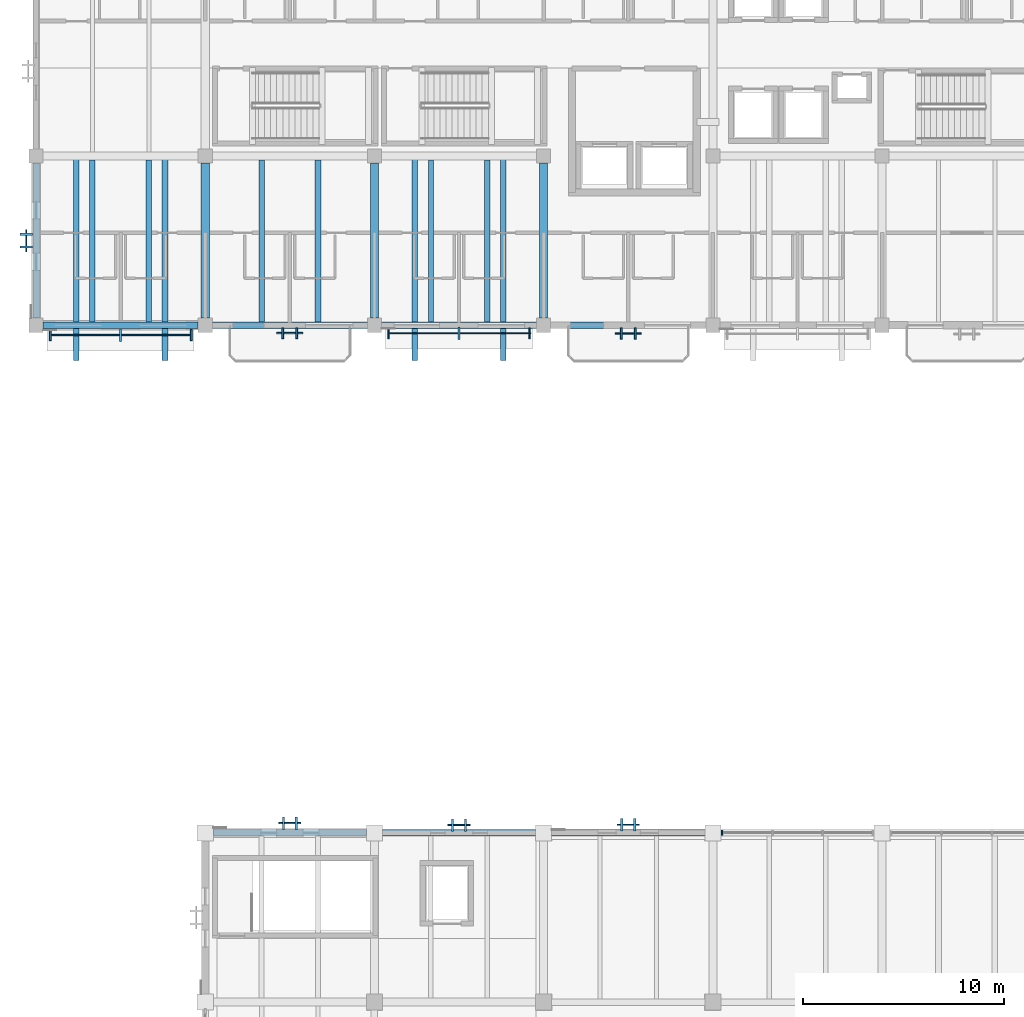
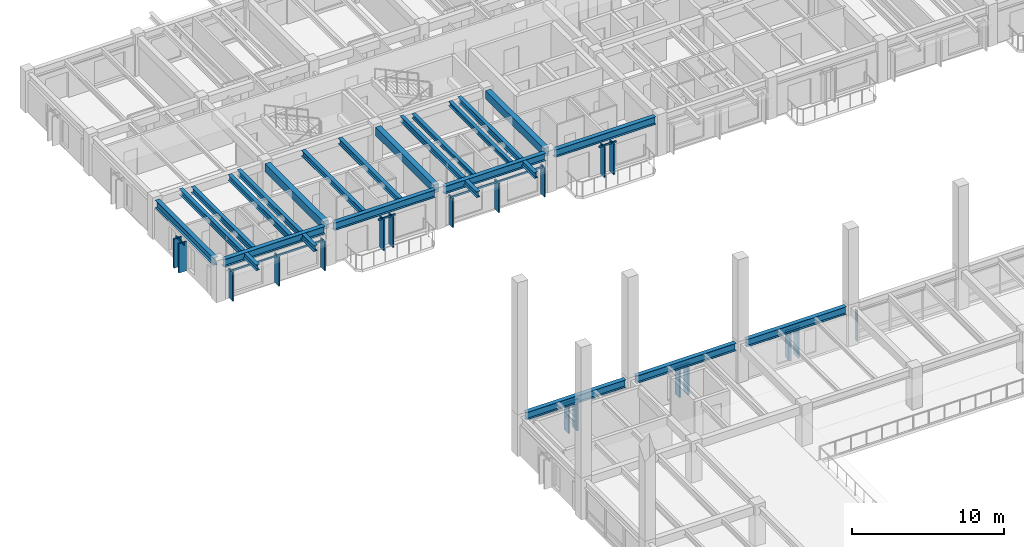
# One storey, part 10 of 64: 27 members, 21 beams, 9 elements without a shape of their own.
"""IFC4 building model written with IfcOpenShell, lengths in metres."""

from ifc_helpers import new_model, si_unit, direction, frame, origin, origin_2d, place, context, subcontext, project, spatial, rectangle, i_section, extrude, material, material_profile, profile_set, type_object, element, aggregate, save


model = new_model("IFC4")

# Units and contexts
model_context = context("Model", 3, precision=1e-05, world=origin(), true_north=direction((0.0, 1.0)))
body_context = subcontext(model_context, "Body", "Model", "MODEL_VIEW")
ifc_project = project(units=[si_unit("LENGTHUNIT", "METRE"), si_unit("AREAUNIT", "SQUARE_METRE"), si_unit("VOLUMEUNIT", "CUBIC_METRE"), si_unit("PLANEANGLEUNIT", "RADIAN"), si_unit("MASSUNIT", "GRAM", prefix="KILO")], contexts=[model_context])

# Site, building, storey
site_placement = place(None, origin())
site = spatial("IfcSite", under=ifc_project, at=site_placement, CompositionType="ELEMENT")
building_placement = place(site_placement, origin())
building = spatial("IfcBuilding", under=site, at=building_placement, Name="Cumbredor Promenade Congress Hotel", CompositionType="ELEMENT")
storey_placement = place(building_placement, frame((0.0, 0.0, 18.47998046875)))
storey = spatial("IfcBuildingStorey", under=building, at=storey_placement, Name="L05", CompositionType="ELEMENT", Elevation=18.47998046875)

# Beams
ifc_material_1 = material(Name="Concrete C40/50", Category="concrete")
ifc_material_profile_1 = material_profile(ifc_material_1, rectangle(XDim=0.39990234375, YDim=0.64990234375, at=origin_2d()), Name="RC BEAM 400x650")
ifc_profile_set_1 = profile_set([ifc_material_profile_1], Name="Concrete C40/50")
beam_type_1 = type_object("IfcBeamType", Name="BM-RC-400x650", PredefinedType="BEAM", material=ifc_profile_set_1)
for number, where, z_axis, x_axis, name in (
    (1, (8.39990234375, 92.75, 2.794921875), (0.0, 1.0, 0.0), (-1.0, 0.0, 0.0), "L06 Y-Grid Beam 024"),
    (2, (16.800048828125, 92.75, 2.794921875), (0.0, 1.0, 0.0), (-1.0, 0.0, 0.0), "L06 Y-Grid Beam 042"),
    (3, (25.199951171875, 92.75, 2.794921875), (0.0, 1.0, 0.0), (-1.0, 0.0, 0.0), "L06 Y-Grid Beam 053"),
):
    element("IfcBeam", number, at=place(storey_placement, frame(where, z_axis=z_axis, x_axis=x_axis)), inside=storey, type_object=beam_type_1, Name=name, PredefinedType="BEAM", context=body_context, shape_type="SweptSolid", body=[
        extrude(rectangle(XDim=0.39990234375, YDim=0.64990234375, at=origin_2d()), origin(), (0.0, 0.0, 1.0), 7.699951171875),
    ])
ifc_material_2 = material(Name="Steel ASTM A992 Grade 50", Category="steel")
ifc_material_profile_2 = material_profile(ifc_material_2, i_section(OverallWidth=0.323974609375, OverallDepth=0.611083984375, WebThickness=0.0126953125, FlangeThickness=0.01904296875, at=origin_2d()), Name="W24X104")
ifc_profile_set_2 = profile_set([ifc_material_profile_2], Name="Steel ASTM A992 Grade 50")
beam_type_2 = type_object("IfcBeamType", Name="BM-W24X104", PredefinedType="BEAM", material=ifc_profile_set_2)
beam_1_placement = place(storey_placement, frame((0.35009765625, 92.39990234375, 2.814453125), z_axis=(1.0, 0.0, 0.0), x_axis=(0.0, 1.0, 0.0)))
element("IfcBeam", 4, at=beam_1_placement, inside=storey, type_object=beam_type_2, Name="L06 X-Grid Beam 001", PredefinedType="BEAM", context=body_context, shape_type="SweptSolid", body=[
    extrude(i_section(OverallWidth=0.323974609375, OverallDepth=0.611083984375, WebThickness=0.0126953125, FlangeThickness=0.01904296875, at=origin_2d()), origin(), (0.0, 0.0, 1.0), 7.699951171875),
])
beam_2_placement = place(storey_placement, frame((8.800048828125, 67.199951171875, 2.814453125), z_axis=(1.0, 0.0, 0.0), x_axis=(0.0, 1.0, 0.0)))
element("IfcBeam", 5, at=beam_2_placement, inside=storey, type_object=beam_type_2, Name="L06 X-Grid Beam 022", PredefinedType="BEAM", context=body_context, shape_type="SweptSolid", body=[
    extrude(i_section(OverallWidth=0.323974609375, OverallDepth=0.611083984375, WebThickness=0.0126953125, FlangeThickness=0.01904296875, at=origin_2d()), origin(), (0.0, 0.0, 1.0), 7.599853515625),
])
beam_3_placement = place(storey_placement, frame((8.75, 92.39990234375, 2.814453125), z_axis=(1.0, 0.0, 0.0), x_axis=(0.0, 1.0, 0.0)))
element("IfcBeam", 6, at=beam_3_placement, inside=storey, type_object=beam_type_2, Name="L06 X-Grid Beam 023", PredefinedType="BEAM", context=body_context, shape_type="SweptSolid", body=[
    extrude(i_section(OverallWidth=0.323974609375, OverallDepth=0.611083984375, WebThickness=0.0126953125, FlangeThickness=0.01904296875, at=origin_2d()), origin(), (0.0, 0.0, 1.0), 7.699951171875),
])
beam_4_placement = place(storey_placement, frame((17.199951171875, 67.199951171875, 2.814453125), z_axis=(1.0, 0.0, 0.0), x_axis=(0.0, 1.0, 0.0)))
element("IfcBeam", 7, at=beam_4_placement, inside=storey, type_object=beam_type_2, Name="L06 X-Grid Beam 040", PredefinedType="BEAM", context=body_context, shape_type="SweptSolid", body=[
    extrude(i_section(OverallWidth=0.323974609375, OverallDepth=0.611083984375, WebThickness=0.0126953125, FlangeThickness=0.01904296875, at=origin_2d()), origin(), (0.0, 0.0, 1.0), 7.60009765625),
])
beam_5_placement = place(storey_placement, frame((17.14990234375, 92.39990234375, 2.814453125), z_axis=(1.0, 0.0, 0.0), x_axis=(0.0, 1.0, 0.0)))
element("IfcBeam", 8, at=beam_5_placement, inside=storey, type_object=beam_type_2, Name="L06 X-Grid Beam 041", PredefinedType="BEAM", context=body_context, shape_type="SweptSolid", body=[
    extrude(i_section(OverallWidth=0.323974609375, OverallDepth=0.611083984375, WebThickness=0.0126953125, FlangeThickness=0.01904296875, at=origin_2d()), origin(), (0.0, 0.0, 1.0), 7.7001953125),
])
beam_6_placement = place(storey_placement, frame((25.60009765625, 67.199951171875, 2.814453125), z_axis=(1.0, 0.0, 0.0), x_axis=(0.0, 1.0, 0.0)))
element("IfcBeam", 9, at=beam_6_placement, inside=storey, type_object=beam_type_2, Name="L06 X-Grid Beam 051", PredefinedType="BEAM", context=body_context, shape_type="SweptSolid", body=[
    extrude(i_section(OverallWidth=0.323974609375, OverallDepth=0.611083984375, WebThickness=0.0126953125, FlangeThickness=0.01904296875, at=origin_2d()), origin(), (0.0, 0.0, 1.0), 7.599853515625),
])
beam_7_placement = place(storey_placement, frame((25.550048828125, 92.39990234375, 2.814453125), z_axis=(1.0, 0.0, 0.0), x_axis=(0.0, 1.0, 0.0)))
element("IfcBeam", 10, at=beam_7_placement, inside=storey, type_object=beam_type_2, Name="L06 X-Grid Beam 052", PredefinedType="BEAM", context=body_context, shape_type="SweptSolid", body=[
    extrude(i_section(OverallWidth=0.323974609375, OverallDepth=0.611083984375, WebThickness=0.0126953125, FlangeThickness=0.01904296875, at=origin_2d()), origin(), (0.0, 0.0, 1.0), 7.699951171875),
])

# Curtain wall, member
ifc_material_3 = material(Name="Thermally broken anodized aluminium and low-E glass", Category="aluminium")
curtain_wall_type_1 = type_object("IfcCurtainWallType", Name="Unitised Bronze Curtain Wall CW-01", PredefinedType="NOTDEFINED", material=ifc_material_3)
curtain_wall_1_placement = place(storey_placement, origin())
curtain_wall_1 = element("IfcCurtainWall", 11, at=curtain_wall_1_placement, inside=storey, type_object=curtain_wall_type_1, Name="L05 Plenary Congress Hall North Curtain Wall 4", PredefinedType="NOTDEFINED")
ifc_material_4 = material(Name="Thermally broken anodized aluminium", Category="aluminium")
ifc_material_profile_3 = material_profile(ifc_material_4, rectangle(XDim=0.080078125, YDim=0.239990234375, at=origin_2d()), Name="ALU MULLION 80x240")
ifc_profile_set_3 = profile_set([ifc_material_profile_3], Name="Thermally broken anodized aluminium")
member_type_1 = type_object("IfcMemberType", Name="Curtain Wall Mullion ML-03", PredefinedType="MULLION", material=ifc_profile_set_3)
member_1_placement = place(storey_placement, frame((34.054931640625, 67.199951171875, -0.008056640625), z_axis=(0.0, 0.0, 1.0), x_axis=(1.0, 0.0, 0.0)))
member_1 = element("IfcMember", 12, at=member_1_placement, type_object=member_type_1, Name="L05 Plenary Congress Hall North Curtain Wall 4 Mullion 1", PredefinedType="MULLION", context=body_context, shape_type="SweptSolid", body=[
    extrude(rectangle(XDim=0.080078125, YDim=0.239990234375, at=origin_2d()), origin(), (0.0, 0.0, 1.0), 2.510009765625),
])
aggregate(curtain_wall_1, [member_1])

curtain_wall_type_2 = type_object("IfcCurtainWallType", Name="Solar Brise-Soleil Screen Assembly CW-07", PredefinedType="NOTDEFINED", material=ifc_material_3)
curtain_wall_2_placement = place(storey_placement, origin())
curtain_wall_2 = element("IfcCurtainWall", 13, at=curtain_wall_2_placement, inside=storey, type_object=curtain_wall_type_2, Name="L05 Pier Brise-Soleil Screen 0820", PredefinedType="NOTDEFINED")
ifc_material_profile_4 = material_profile(ifc_material_4, rectangle(XDim=0.06494140625, YDim=0.1298828125, at=origin_2d()), Name="ALU TRANSOM 65x130")
ifc_profile_set_4 = profile_set([ifc_material_profile_4], Name="Thermally broken anodized aluminium")
member_type_2 = type_object("IfcMemberType", Name="Curtain Wall Transom TR-01", PredefinedType="USERDEFINED", material=ifc_profile_set_4)
member_2_placement = place(storey_placement, frame((12.050048828125, 67.68505859375, 2.333984375), z_axis=(1.0, 0.0, 0.0), x_axis=(0.0, 1.0, 0.0)))
member_2 = element("IfcMember", 14, at=member_2_placement, type_object=member_type_2, Name="L05 Pier Brise-Soleil Header 0822", ObjectType="TRANSOM", PredefinedType="USERDEFINED", context=body_context, shape_type="SweptSolid", body=[
    extrude(rectangle(XDim=0.06494140625, YDim=0.1298828125, at=origin_2d()), origin(), (0.0, 0.0, 1.0), 1.099853515625),
])

curtain_wall_3_placement = place(storey_placement, origin())
curtain_wall_3 = element("IfcCurtainWall", 15, at=curtain_wall_3_placement, inside=storey, type_object=curtain_wall_type_2, Name="L05 Pier Brise-Soleil Screen 0823", PredefinedType="NOTDEFINED")
member_3_placement = place(storey_placement, frame((20.449951171875, 67.590087890625, 2.333984375), z_axis=(1.0, 0.0, 0.0), x_axis=(0.0, 1.0, 0.0)))
member_3 = element("IfcMember", 16, at=member_3_placement, type_object=member_type_2, Name="L05 Pier Brise-Soleil Header 0825", ObjectType="TRANSOM", PredefinedType="USERDEFINED", context=body_context, shape_type="SweptSolid", body=[
    extrude(rectangle(XDim=0.06494140625, YDim=0.1298828125, at=origin_2d()), origin(), (0.0, 0.0, 1.0), 1.10009765625),
])

curtain_wall_4_placement = place(storey_placement, origin())
curtain_wall_4 = element("IfcCurtainWall", 17, at=curtain_wall_4_placement, inside=storey, type_object=curtain_wall_type_2, Name="L05 Pier Brise-Soleil Screen 0826", PredefinedType="NOTDEFINED")
member_4_placement = place(storey_placement, frame((28.85009765625, 67.60009765625, 2.333984375), z_axis=(1.0, 0.0, 0.0), x_axis=(0.0, 1.0, 0.0)))
member_4 = element("IfcMember", 18, at=member_4_placement, type_object=member_type_2, Name="L05 Pier Brise-Soleil Header 0828", ObjectType="TRANSOM", PredefinedType="USERDEFINED", context=body_context, shape_type="SweptSolid", body=[
    extrude(rectangle(XDim=0.06494140625, YDim=0.1298828125, at=origin_2d()), origin(), (0.0, 0.0, 1.0), 1.099853515625),
])

curtain_wall_5_placement = place(storey_placement, origin())
curtain_wall_5 = element("IfcCurtainWall", 19, at=curtain_wall_5_placement, inside=storey, type_object=curtain_wall_type_2, Name="L05 Hospitality Brise-Soleil Screen 078", PredefinedType="NOTDEFINED")
member_5_placement = place(storey_placement, frame((0.65087890625, 91.9150390625, 2.31396484375), z_axis=(1.0, 0.0, 0.0), x_axis=(0.0, 1.0, 0.0)))
member_5 = element("IfcMember", 20, at=member_5_placement, type_object=member_type_2, Name="L05 Brise-Soleil Screen Transom 078", ObjectType="TRANSOM", PredefinedType="USERDEFINED", context=body_context, shape_type="SweptSolid", body=[
    extrude(rectangle(XDim=0.06494140625, YDim=0.1298828125, at=origin_2d()), origin(), (0.0, 0.0, 1.0), 7.09814453125),
])

curtain_wall_6_placement = place(storey_placement, origin())
curtain_wall_6 = element("IfcCurtainWall", 21, at=curtain_wall_6_placement, inside=storey, type_object=curtain_wall_type_2, Name="L05 Veranda Solar Brise-Soleil Screen 850", PredefinedType="NOTDEFINED")
member_6_placement = place(storey_placement, frame((11.949951171875, 92.010009765625, 2.4140625), z_axis=(1.0, 0.0, 0.0), x_axis=(0.0, 1.0, 0.0)))
member_6 = element("IfcMember", 22, at=member_6_placement, type_object=member_type_2, Name="L05 Brise-Soleil Header Tie 0852", ObjectType="TRANSOM", PredefinedType="USERDEFINED", context=body_context, shape_type="SweptSolid", body=[
    extrude(rectangle(XDim=0.06494140625, YDim=0.1298828125, at=origin_2d()), origin(), (0.0, 0.0, 1.0), 1.300048828125),
])

curtain_wall_7_placement = place(storey_placement, origin())
curtain_wall_7 = element("IfcCurtainWall", 23, at=curtain_wall_7_placement, inside=storey, type_object=curtain_wall_type_2, Name="L05 Hospitality Brise-Soleil Screen 079", PredefinedType="NOTDEFINED")
member_7_placement = place(storey_placement, frame((17.450927734375, 92.0, 2.31396484375), z_axis=(1.0, 0.0, 0.0), x_axis=(0.0, 1.0, 0.0)))
member_7 = element("IfcMember", 24, at=member_7_placement, type_object=member_type_2, Name="L05 Brise-Soleil Screen Transom 079", ObjectType="TRANSOM", PredefinedType="USERDEFINED", context=body_context, shape_type="SweptSolid", body=[
    extrude(rectangle(XDim=0.06494140625, YDim=0.1298828125, at=origin_2d()), origin(), (0.0, 0.0, 1.0), 7.09814453125),
])

curtain_wall_8_placement = place(storey_placement, origin())
curtain_wall_8 = element("IfcCurtainWall", 25, at=curtain_wall_8_placement, inside=storey, type_object=curtain_wall_type_2, Name="L05 Veranda Solar Brise-Soleil Screen 856", PredefinedType="NOTDEFINED")
member_8_placement = place(storey_placement, frame((28.75, 91.989990234375, 2.4140625), z_axis=(1.0, 0.0, 0.0), x_axis=(0.0, 1.0, 0.0)))
member_8 = element("IfcMember", 26, at=member_8_placement, type_object=member_type_2, Name="L05 Brise-Soleil Header Tie 0858", ObjectType="TRANSOM", PredefinedType="USERDEFINED", context=body_context, shape_type="SweptSolid", body=[
    extrude(rectangle(XDim=0.06494140625, YDim=0.1298828125, at=origin_2d()), origin(), (0.0, 0.0, 1.0), 1.300048828125),
])

curtain_wall_9_placement = place(storey_placement, origin())
curtain_wall_9 = element("IfcCurtainWall", 27, at=curtain_wall_9_placement, inside=storey, type_object=curtain_wall_type_2, Name="L05 Pier Brise-Soleil Screen 0904", PredefinedType="NOTDEFINED")
member_9_placement = place(storey_placement, frame((-0.485107421875, 96.050048828125, 2.333984375), z_axis=(0.0, 1.0, 0.0), x_axis=(-1.0, 0.0, 0.0)))
member_9 = element("IfcMember", 28, at=member_9_placement, type_object=member_type_2, Name="L05 Pier Brise-Soleil Header 0906", ObjectType="TRANSOM", PredefinedType="USERDEFINED", context=body_context, shape_type="SweptSolid", body=[
    extrude(rectangle(XDim=0.06494140625, YDim=0.1298828125, at=origin_2d()), origin(), (0.0, 0.0, 1.0), 1.099853515625),
])

# Beams
ifc_material_profile_5 = material_profile(ifc_material_2, i_section(OverallWidth=0.2548828125, OverallDepth=0.35693359375, WebThickness=0.010498046875, FlangeThickness=0.018310546875, at=origin_2d()), Name="W14X68")
ifc_profile_set_5 = profile_set([ifc_material_profile_5], Name="Steel ASTM A992 Grade 50")
beam_type_3 = type_object("IfcBeamType", Name="JST-W14X68", PredefinedType="JOIST", material=ifc_profile_set_5)
for number, where, z_axis, x_axis, name in (
    (29, (19.60009765625, 92.56201171875, 2.94140625), (0.0, 1.0, 0.0), (-1.0, 0.0, 0.0), "L06 Secondary Floor Joist 0029"),
    (30, (22.39990234375, 92.56201171875, 2.94140625), (0.0, 1.0, 0.0), (-1.0, 0.0, 0.0), "L06 Secondary Floor Joist 0030"),
):
    element("IfcBeam", number, at=place(storey_placement, frame(where, z_axis=z_axis, x_axis=x_axis)), inside=storey, type_object=beam_type_3, Name=name, PredefinedType="JOIST", context=body_context, shape_type="SweptSolid", body=[
        extrude(i_section(OverallWidth=0.2548828125, OverallDepth=0.35693359375, WebThickness=0.010498046875, FlangeThickness=0.018310546875, at=origin_2d()), origin(), (0.0, 0.0, 1.0), 8.0380859375),
    ])
ifc_material_profile_6 = material_profile(ifc_material_2, i_section(OverallWidth=0.280029296875, OverallDepth=0.462890625, WebThickness=0.0107421875, FlangeThickness=0.017333984375, at=origin_2d()), Name="W18X76")
ifc_profile_set_6 = profile_set([ifc_material_profile_6], Name="Steel ASTM A992 Grade 50")
beam_type_4 = type_object("IfcBeamType", Name="JST-W18X76", PredefinedType="JOIST", material=ifc_profile_set_6)
for number, where, z_axis, x_axis, name in (
    (31, (2.0, 90.64990234375, 2.888427734375), (0.0, 1.0, 0.0), (-1.0, 0.0, 0.0), "L06 Balcony Back-Spanned Outrigger Beam 038.1"),
    (32, (6.39990234375, 90.64990234375, 2.888427734375), (0.0, 1.0, 0.0), (-1.0, 0.0, 0.0), "L06 Balcony Back-Spanned Outrigger Beam 038.2"),
    (33, (18.800048828125, 90.64990234375, 2.888427734375), (0.0, 1.0, 0.0), (-1.0, 0.0, 0.0), "L06 Balcony Back-Spanned Outrigger Beam 039.1"),
    (34, (23.199951171875, 90.64990234375, 2.888427734375), (0.0, 1.0, 0.0), (-1.0, 0.0, 0.0), "L06 Balcony Back-Spanned Outrigger Beam 039.2"),
):
    element("IfcBeam", number, at=place(storey_placement, frame(where, z_axis=z_axis, x_axis=x_axis)), inside=storey, type_object=beam_type_4, Name=name, PredefinedType="JOIST", context=body_context, shape_type="SweptSolid", body=[
        extrude(i_section(OverallWidth=0.280029296875, OverallDepth=0.462890625, WebThickness=0.0107421875, FlangeThickness=0.017333984375, at=origin_2d()), origin(), (0.0, 0.0, 1.0), 10.150146484375),
    ])
for number, where, z_axis, x_axis, name in (
    (35, (2.800048828125, 92.56201171875, 2.888427734375), (0.0, 1.0, 0.0), (-1.0, 0.0, 0.0), "L06 Secondary Floor Joist 0001"),
    (36, (5.60009765625, 92.56201171875, 2.888427734375), (0.0, 1.0, 0.0), (-1.0, 0.0, 0.0), "L06 Secondary Floor Joist 0002"),
    (37, (11.199951171875, 92.56201171875, 2.888427734375), (0.0, 1.0, 0.0), (-1.0, 0.0, 0.0), "L06 Secondary Floor Joist 0021"),
    (38, (14.0, 92.56201171875, 2.888427734375), (0.0, 1.0, 0.0), (-1.0, 0.0, 0.0), "L06 Secondary Floor Joist 0022"),
):
    element("IfcBeam", number, at=place(storey_placement, frame(where, z_axis=z_axis, x_axis=x_axis)), inside=storey, type_object=beam_type_4, Name=name, PredefinedType="JOIST", context=body_context, shape_type="SweptSolid", body=[
        extrude(i_section(OverallWidth=0.280029296875, OverallDepth=0.462890625, WebThickness=0.0107421875, FlangeThickness=0.017333984375, at=origin_2d()), origin(), (0.0, 0.0, 1.0), 8.0380859375),
    ])
ifc_material_profile_7 = material_profile(ifc_material_2, i_section(OverallWidth=0.323974609375, OverallDepth=0.611083984375, WebThickness=0.0126953125, FlangeThickness=0.01904296875, at=origin_2d()), Name="W24X104")
ifc_profile_set_7 = profile_set([ifc_material_profile_7], Name="Steel ASTM A992 Grade 50")
beam_type_5 = type_object("IfcBeamType", Name="SP-W24X104", PredefinedType="SPANDREL", material=ifc_profile_set_7)
beam_8_placement = place(storey_placement, frame((0.0, 92.75, 2.814453125), z_axis=(0.0, 1.0, 0.0), x_axis=(-1.0, 0.0, 0.0)))
element("IfcBeam", 39, at=beam_8_placement, inside=storey, type_object=beam_type_5, Name="L06 Y-Grid Beam 002", PredefinedType="SPANDREL", context=body_context, shape_type="SweptSolid", body=[
    extrude(i_section(OverallWidth=0.323974609375, OverallDepth=0.611083984375, WebThickness=0.0126953125, FlangeThickness=0.01904296875, at=origin_2d()), origin(), (0.0, 0.0, 1.0), 7.699951171875),
])

# Member
ifc_material_profile_8 = material_profile(ifc_material_4, rectangle(XDim=0.110107421875, YDim=0.6201171875, at=origin_2d()), Name="ARCH FIN 110x620")
ifc_profile_set_8 = profile_set([ifc_material_profile_8], Name="Thermally broken anodized aluminium")
member_type_3 = type_object("IfcMemberType", Name="Vertical Bronze Brise-Soleil Fin BSF-02 110x620", PredefinedType="USERDEFINED", material=ifc_profile_set_8)
member_10_placement = place(storey_placement, frame((12.280029296875, 67.68505859375, 0.02001953125), z_axis=(0.0, 0.0, 1.0), x_axis=(1.0, 0.0, 0.0)))
member_10 = element("IfcMember", 40, at=member_10_placement, type_object=member_type_3, Name="L05 Pier Brise-Soleil Fin 0821", ObjectType="SOLAR FIN", PredefinedType="USERDEFINED", context=body_context, shape_type="SweptSolid", body=[
    extrude(rectangle(XDim=0.110107421875, YDim=0.6201171875, at=origin_2d()), origin(), (0.0, 0.0, 1.0), 2.35400390625),
])

member_11_placement = place(storey_placement, frame((12.919921875, 67.68505859375, 0.02001953125), z_axis=(0.0, 0.0, 1.0), x_axis=(1.0, 0.0, 0.0)))
member_11 = element("IfcMember", 41, at=member_11_placement, type_object=member_type_3, Name="L05 Pier Brise-Soleil Fin 0822", ObjectType="SOLAR FIN", PredefinedType="USERDEFINED", context=body_context, shape_type="SweptSolid", body=[
    extrude(rectangle(XDim=0.110107421875, YDim=0.6201171875, at=origin_2d()), origin(), (0.0, 0.0, 1.0), 2.35400390625),
])

aggregate(curtain_wall_2, [member_10, member_11, member_2])

member_12_placement = place(storey_placement, frame((20.679931640625, 67.590087890625, 0.02001953125), z_axis=(0.0, 0.0, 1.0), x_axis=(1.0, 0.0, 0.0)))
member_12 = element("IfcMember", 42, at=member_12_placement, type_object=member_type_3, Name="L05 Pier Brise-Soleil Fin 0824", ObjectType="SOLAR FIN", PredefinedType="USERDEFINED", context=body_context, shape_type="SweptSolid", body=[
    extrude(rectangle(XDim=0.110107421875, YDim=0.6201171875, at=origin_2d()), origin(), (0.0, 0.0, 1.0), 2.35400390625),
])

member_13_placement = place(storey_placement, frame((21.320068359375, 67.590087890625, 0.02001953125), z_axis=(0.0, 0.0, 1.0), x_axis=(1.0, 0.0, 0.0)))
member_13 = element("IfcMember", 43, at=member_13_placement, type_object=member_type_3, Name="L05 Pier Brise-Soleil Fin 0825", ObjectType="SOLAR FIN", PredefinedType="USERDEFINED", context=body_context, shape_type="SweptSolid", body=[
    extrude(rectangle(XDim=0.110107421875, YDim=0.6201171875, at=origin_2d()), origin(), (0.0, 0.0, 1.0), 2.35400390625),
])

aggregate(curtain_wall_3, [member_12, member_13, member_3])

member_14_placement = place(storey_placement, frame((29.080078125, 67.60009765625, 0.02001953125), z_axis=(0.0, 0.0, 1.0), x_axis=(1.0, 0.0, 0.0)))
member_14 = element("IfcMember", 44, at=member_14_placement, type_object=member_type_3, Name="L05 Pier Brise-Soleil Fin 0827", ObjectType="SOLAR FIN", PredefinedType="USERDEFINED", context=body_context, shape_type="SweptSolid", body=[
    extrude(rectangle(XDim=0.110107421875, YDim=0.6201171875, at=origin_2d()), origin(), (0.0, 0.0, 1.0), 2.35400390625),
])

member_15_placement = place(storey_placement, frame((29.719970703125, 67.60009765625, 0.02001953125), z_axis=(0.0, 0.0, 1.0), x_axis=(1.0, 0.0, 0.0)))
member_15 = element("IfcMember", 45, at=member_15_placement, type_object=member_type_3, Name="L05 Pier Brise-Soleil Fin 0828", ObjectType="SOLAR FIN", PredefinedType="USERDEFINED", context=body_context, shape_type="SweptSolid", body=[
    extrude(rectangle(XDim=0.110107421875, YDim=0.6201171875, at=origin_2d()), origin(), (0.0, 0.0, 1.0), 2.35400390625),
])

aggregate(curtain_wall_4, [member_14, member_15, member_4])

member_16_placement = place(storey_placement, frame((4.199951171875, 91.9150390625, 0.02001953125), z_axis=(0.0, 0.0, 1.0), x_axis=(1.0, 0.0, 0.0)))
member_16 = element("IfcMember", 46, at=member_16_placement, type_object=member_type_3, Name="L05 Vertical Brise-Soleil Fin 0848", ObjectType="SOLAR FIN", PredefinedType="USERDEFINED", context=body_context, shape_type="SweptSolid", body=[
    extrude(rectangle(XDim=0.110107421875, YDim=0.6201171875, at=origin_2d()), origin(), (0.0, 0.0, 1.0), 2.35400390625),
])

member_17_placement = place(storey_placement, frame((21.0, 92.0, 0.02001953125), z_axis=(0.0, 0.0, 1.0), x_axis=(1.0, 0.0, 0.0)))
member_17 = element("IfcMember", 47, at=member_17_placement, type_object=member_type_3, Name="L05 Vertical Brise-Soleil Fin 0854", ObjectType="SOLAR FIN", PredefinedType="USERDEFINED", context=body_context, shape_type="SweptSolid", body=[
    extrude(rectangle(XDim=0.110107421875, YDim=0.6201171875, at=origin_2d()), origin(), (0.0, 0.0, 1.0), 2.35400390625),
])

member_18_placement = place(storey_placement, frame((-0.485107421875, 96.280029296875, 0.02001953125), z_axis=(0.0, 0.0, 1.0), x_axis=(0.0, 1.0, 0.0)))
member_18 = element("IfcMember", 48, at=member_18_placement, type_object=member_type_3, Name="L05 Pier Brise-Soleil Fin 0905", ObjectType="SOLAR FIN", PredefinedType="USERDEFINED", context=body_context, shape_type="SweptSolid", body=[
    extrude(rectangle(XDim=0.110107421875, YDim=0.6201171875, at=origin_2d()), origin(), (0.0, 0.0, 1.0), 2.35400390625),
])

member_19_placement = place(storey_placement, frame((-0.485107421875, 96.919921875, 0.02001953125), z_axis=(0.0, 0.0, 1.0), x_axis=(0.0, 1.0, 0.0)))
member_19 = element("IfcMember", 49, at=member_19_placement, type_object=member_type_3, Name="L05 Pier Brise-Soleil Fin 0906", ObjectType="SOLAR FIN", PredefinedType="USERDEFINED", context=body_context, shape_type="SweptSolid", body=[
    extrude(rectangle(XDim=0.110107421875, YDim=0.6201171875, at=origin_2d()), origin(), (0.0, 0.0, 1.0), 2.35400390625),
])

aggregate(curtain_wall_9, [member_18, member_19, member_9])

ifc_material_5 = material(Name="Kiln-dried tropical hardwood", Category="wood")
ifc_material_profile_9 = material_profile(ifc_material_5, rectangle(XDim=0.090087890625, YDim=0.550048828125, at=origin_2d()), Name="ARCH FIN 90x550")
ifc_profile_set_9 = profile_set([ifc_material_profile_9], Name="Kiln-dried tropical hardwood")
member_type_4 = type_object("IfcMemberType", Name="Vertical Hardwood Brise-Soleil Fin BSF-01 90x550", PredefinedType="USERDEFINED", material=ifc_profile_set_9)
member_20_placement = place(storey_placement, frame((0.700927734375, 91.9150390625, 0.02001953125), z_axis=(0.0, 0.0, 1.0), x_axis=(1.0, 0.0, 0.0)))
member_20 = element("IfcMember", 50, at=member_20_placement, type_object=member_type_4, Name="L05 Vertical Brise-Soleil Fin 0847", ObjectType="SOLAR FIN", PredefinedType="USERDEFINED", context=body_context, shape_type="SweptSolid", body=[
    extrude(rectangle(XDim=0.090087890625, YDim=0.550048828125, at=origin_2d()), origin(), (0.0, 0.0, 1.0), 2.35400390625),
])

member_21_placement = place(storey_placement, frame((7.698974609375, 91.9150390625, 0.02001953125), z_axis=(0.0, 0.0, 1.0), x_axis=(1.0, 0.0, 0.0)))
member_21 = element("IfcMember", 51, at=member_21_placement, type_object=member_type_4, Name="L05 Vertical Brise-Soleil Fin 0849", ObjectType="SOLAR FIN", PredefinedType="USERDEFINED", context=body_context, shape_type="SweptSolid", body=[
    extrude(rectangle(XDim=0.090087890625, YDim=0.550048828125, at=origin_2d()), origin(), (0.0, 0.0, 1.0), 2.35400390625),
])

aggregate(curtain_wall_5, [member_5, member_20, member_16, member_21])

member_22_placement = place(storey_placement, frame((12.25, 92.010009765625, -0.010009765625), z_axis=(0.0, 0.0, 1.0), x_axis=(1.0, 0.0, 0.0)))
member_22 = element("IfcMember", 52, at=member_22_placement, type_object=member_type_4, Name="L05 Vertical Hardwood Brise-Soleil Fin 0851", ObjectType="SOLAR FIN", PredefinedType="USERDEFINED", context=body_context, shape_type="SweptSolid", body=[
    extrude(rectangle(XDim=0.090087890625, YDim=0.550048828125, at=origin_2d()), origin(), (0.0, 0.0, 1.0), 2.484130859375),
])

member_23_placement = place(storey_placement, frame((12.949951171875, 92.010009765625, -0.010009765625), z_axis=(0.0, 0.0, 1.0), x_axis=(1.0, 0.0, 0.0)))
member_23 = element("IfcMember", 53, at=member_23_placement, type_object=member_type_4, Name="L05 Vertical Hardwood Brise-Soleil Fin 0852", ObjectType="SOLAR FIN", PredefinedType="USERDEFINED", context=body_context, shape_type="SweptSolid", body=[
    extrude(rectangle(XDim=0.090087890625, YDim=0.550048828125, at=origin_2d()), origin(), (0.0, 0.0, 1.0), 2.484130859375),
])

aggregate(curtain_wall_6, [member_22, member_23, member_6])

member_24_placement = place(storey_placement, frame((17.5009765625, 92.0, 0.02001953125), z_axis=(0.0, 0.0, 1.0), x_axis=(1.0, 0.0, 0.0)))
member_24 = element("IfcMember", 54, at=member_24_placement, type_object=member_type_4, Name="L05 Vertical Brise-Soleil Fin 0853", ObjectType="SOLAR FIN", PredefinedType="USERDEFINED", context=body_context, shape_type="SweptSolid", body=[
    extrude(rectangle(XDim=0.090087890625, YDim=0.550048828125, at=origin_2d()), origin(), (0.0, 0.0, 1.0), 2.35400390625),
])

member_25_placement = place(storey_placement, frame((24.4990234375, 92.0, 0.02001953125), z_axis=(0.0, 0.0, 1.0), x_axis=(1.0, 0.0, 0.0)))
member_25 = element("IfcMember", 55, at=member_25_placement, type_object=member_type_4, Name="L05 Vertical Brise-Soleil Fin 0855", ObjectType="SOLAR FIN", PredefinedType="USERDEFINED", context=body_context, shape_type="SweptSolid", body=[
    extrude(rectangle(XDim=0.090087890625, YDim=0.550048828125, at=origin_2d()), origin(), (0.0, 0.0, 1.0), 2.35400390625),
])

aggregate(curtain_wall_7, [member_7, member_24, member_17, member_25])

member_26_placement = place(storey_placement, frame((29.050048828125, 91.989990234375, -0.010009765625), z_axis=(0.0, 0.0, 1.0), x_axis=(1.0, 0.0, 0.0)))
member_26 = element("IfcMember", 56, at=member_26_placement, type_object=member_type_4, Name="L05 Vertical Hardwood Brise-Soleil Fin 0857", ObjectType="SOLAR FIN", PredefinedType="USERDEFINED", context=body_context, shape_type="SweptSolid", body=[
    extrude(rectangle(XDim=0.090087890625, YDim=0.550048828125, at=origin_2d()), origin(), (0.0, 0.0, 1.0), 2.484130859375),
])

member_27_placement = place(storey_placement, frame((29.75, 91.989990234375, -0.010009765625), z_axis=(0.0, 0.0, 1.0), x_axis=(1.0, 0.0, 0.0)))
member_27 = element("IfcMember", 57, at=member_27_placement, type_object=member_type_4, Name="L05 Vertical Hardwood Brise-Soleil Fin 0858", ObjectType="SOLAR FIN", PredefinedType="USERDEFINED", context=body_context, shape_type="SweptSolid", body=[
    extrude(rectangle(XDim=0.090087890625, YDim=0.550048828125, at=origin_2d()), origin(), (0.0, 0.0, 1.0), 2.484130859375),
])

aggregate(curtain_wall_8, [member_26, member_27, member_8])

save(model, "model.ifc")
